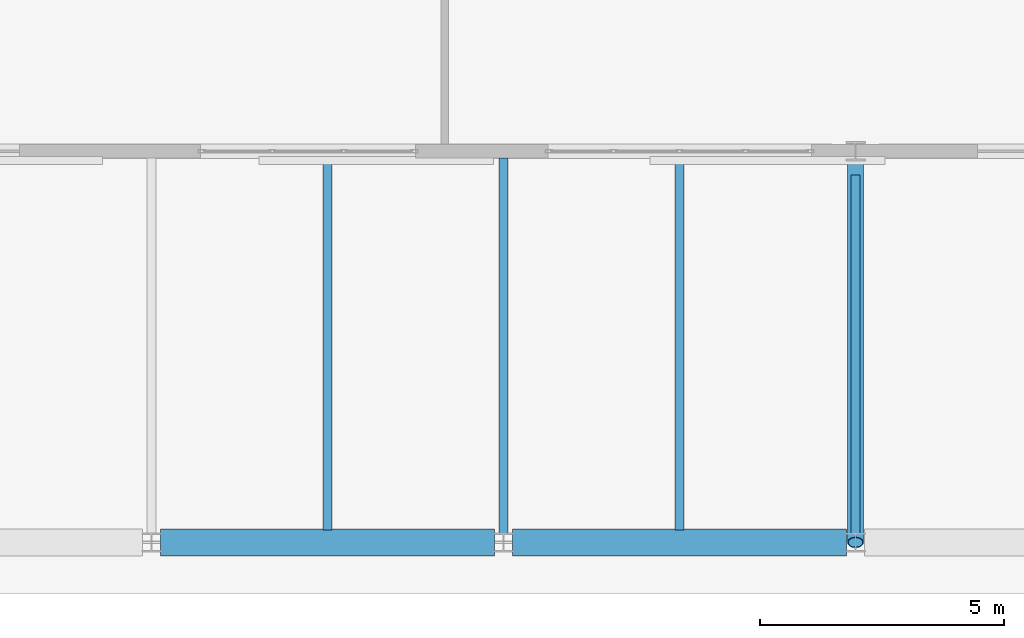
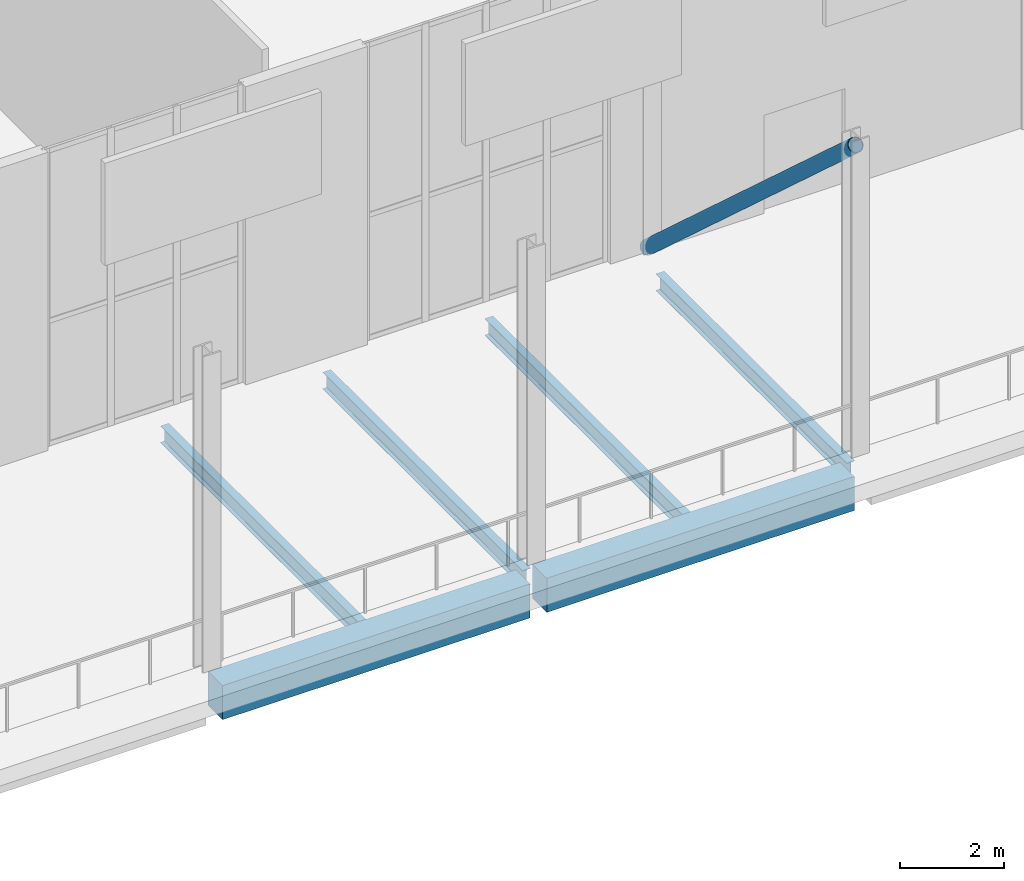
# One storey, part 8 of 23: 6 beams, 1 member.
"""IFC4 building model written with IfcOpenShell, lengths in metres."""

from ifc_helpers import new_model, si_unit, direction, frame, origin, origin_2d, place, context, subcontext, project, spatial, rectangle, hollow_circle, i_section, extrude, material, material_profile, profile_set, type_object, element, save


model = new_model("IFC4")

# Units and contexts
model_context = context("Model", 3, precision=1e-05, world=origin(), true_north=direction((0.0, 1.0)))
body_context = subcontext(model_context, "Body", "Model", "MODEL_VIEW")
ifc_project = project(units=[si_unit("LENGTHUNIT", "METRE"), si_unit("AREAUNIT", "SQUARE_METRE"), si_unit("VOLUMEUNIT", "CUBIC_METRE"), si_unit("PLANEANGLEUNIT", "RADIAN"), si_unit("MASSUNIT", "GRAM", prefix="KILO")], contexts=[model_context])

# Site, building, storey
site_placement = place(None, origin())
site = spatial("IfcSite", under=ifc_project, at=site_placement, CompositionType="ELEMENT")
building_placement = place(site_placement, origin())
building = spatial("IfcBuilding", under=site, at=building_placement, Name="Kaelvorn Grand Hotel", CompositionType="ELEMENT")
storey_placement = place(building_placement, frame((0.0, 0.0, 310.699951171875)))
storey = spatial("IfcBuildingStorey", under=building, at=storey_placement, Name="L75", CompositionType="ELEMENT", Elevation=310.699951171875)

# Beams
ifc_material_1 = material(Name="Steel S355", Category="steel")
ifc_material_profile_1 = material_profile(ifc_material_1, i_section(OverallWidth=0.179931640625, OverallDepth=0.39990234375, WebThickness=0.008544921875, FlangeThickness=0.013427734375, FilletRadius=0.02099609375, at=origin_2d()), Name="IPE 400")
ifc_profile_set_1 = profile_set([ifc_material_profile_1], Name="Steel S355")
beam_type_1 = type_object("IfcBeamType", Name="BM-J-IPE400-S355", PredefinedType="JOIST", material=ifc_profile_set_1)
beam_1_placement = place(storey_placement, frame((27.0, 7.260009765625, -0.5), z_axis=(0.0, 1.0, 0.0), x_axis=(-1.0, 0.0, 0.0)))
element("IfcBeam", 1, at=beam_1_placement, inside=storey, type_object=beam_type_1, Name="L75 Composite Floor Joist JS-08", PredefinedType="JOIST", context=body_context, shape_type="SweptSolid", body=[
    extrude(i_section(OverallWidth=0.179931640625, OverallDepth=0.39990234375, WebThickness=0.008544921875, FlangeThickness=0.013427734375, FilletRadius=0.02099609375, at=origin_2d()), origin(), (0.0, 0.0, 1.0), 7.60498046875),
])
beam_2_placement = place(storey_placement, frame((30.60009765625, 7.18505859375, -0.5), z_axis=(0.0, 1.0, 0.0), x_axis=(-1.0, 0.0, 0.0)))
element("IfcBeam", 2, at=beam_2_placement, inside=storey, type_object=beam_type_1, Name="L75 Composite Floor Joist JS-09", PredefinedType="JOIST", context=body_context, shape_type="SweptSolid", body=[
    extrude(i_section(OverallWidth=0.179931640625, OverallDepth=0.39990234375, WebThickness=0.008544921875, FlangeThickness=0.013427734375, FilletRadius=0.02099609375, at=origin_2d()), origin(), (0.0, 0.0, 1.0), 7.679931640625),
])
beam_3_placement = place(storey_placement, frame((34.199951171875, 7.260009765625, -0.5), z_axis=(0.0, 1.0, 0.0), x_axis=(-1.0, 0.0, 0.0)))
element("IfcBeam", 3, at=beam_3_placement, inside=storey, type_object=beam_type_1, Name="L75 Composite Floor Joist JS-10", PredefinedType="JOIST", context=body_context, shape_type="SweptSolid", body=[
    extrude(i_section(OverallWidth=0.179931640625, OverallDepth=0.39990234375, WebThickness=0.008544921875, FlangeThickness=0.013427734375, FilletRadius=0.02099609375, at=origin_2d()), origin(), (0.0, 0.0, 1.0), 7.60498046875),
])
beam_4_placement = place(storey_placement, frame((37.800048828125, 7.18505859375, -0.5), z_axis=(0.0, 1.0, 0.0), x_axis=(-1.0, 0.0, 0.0)))
element("IfcBeam", 4, at=beam_4_placement, inside=storey, type_object=beam_type_1, Name="L75 Composite Floor Joist JS-11", PredefinedType="JOIST", context=body_context, shape_type="SweptSolid", body=[
    extrude(i_section(OverallWidth=0.179931640625, OverallDepth=0.39990234375, WebThickness=0.008544921875, FlangeThickness=0.013427734375, FilletRadius=0.02099609375, at=origin_2d()), origin(), (0.0, 0.0, 1.0), 7.329833984375),
])
ifc_material_2 = material(Name="Concrete C50/60", Category="concrete")
ifc_material_profile_2 = material_profile(ifc_material_2, rectangle(XDim=0.550048828125, YDim=0.800048828125, at=origin_2d()), Name="RC SPANDREL 550x800")
ifc_profile_set_2 = profile_set([ifc_material_profile_2], Name="Concrete C50/60")
beam_type_2 = type_object("IfcBeamType", Name="BM-SP-550x800-C50", PredefinedType="SPANDREL", material=ifc_profile_set_2)
for number, where, z_axis, x_axis, name in (
    (5, (23.5849609375, 7.0, -0.699951171875), (1.0, 0.0, 0.0), (0.0, 1.0, 0.0), "L75 South Perimeter Spandrel 03"),
    (6, (30.784912109375, 7.0, -0.699951171875), (1.0, 0.0, 0.0), (0.0, 1.0, 0.0), "L75 South Perimeter Spandrel 04"),
):
    element("IfcBeam", number, at=place(storey_placement, frame(where, z_axis=z_axis, x_axis=x_axis)), inside=storey, type_object=beam_type_2, Name=name, PredefinedType="SPANDREL", context=body_context, shape_type="SweptSolid", body=[
        extrude(rectangle(XDim=0.550048828125, YDim=0.800048828125, at=origin_2d()), origin(), (0.0, 0.0, 1.0), 6.830078125),
    ])

# Member
ifc_material_profile_3 = material_profile(ifc_material_1, hollow_circle(Radius=0.161865234375, WallThickness=0.01611328125, at=origin_2d()), Name="CHS 323.9x16.0")
ifc_profile_set_3 = profile_set([ifc_material_profile_3], Name="Steel S355")
member_type = type_object("IfcMemberType", Name="MB-CAN-STRUT-CHS324", PredefinedType="STRUT", material=ifc_profile_set_3)
member_placement = place(storey_placement, frame((37.800048828125, 15.0, 0.0), z_axis=(0.0, -0.740986951436, 0.671519424739), x_axis=(1.0, 0.0, 0.0)))
element("IfcMember", 7, at=member_placement, inside=storey, type_object=member_type, Name="L75 Crown Parasol Canopy Raking Strut 2", PredefinedType="STRUT", context=body_context, shape_type="SweptSolid", body=[
    extrude(hollow_circle(Radius=0.161865234375, WallThickness=0.01611328125, at=origin_2d()), origin(), (0.0, 0.0, 1.0), 10.79638671875),
])

save(model, "model.ifc")
